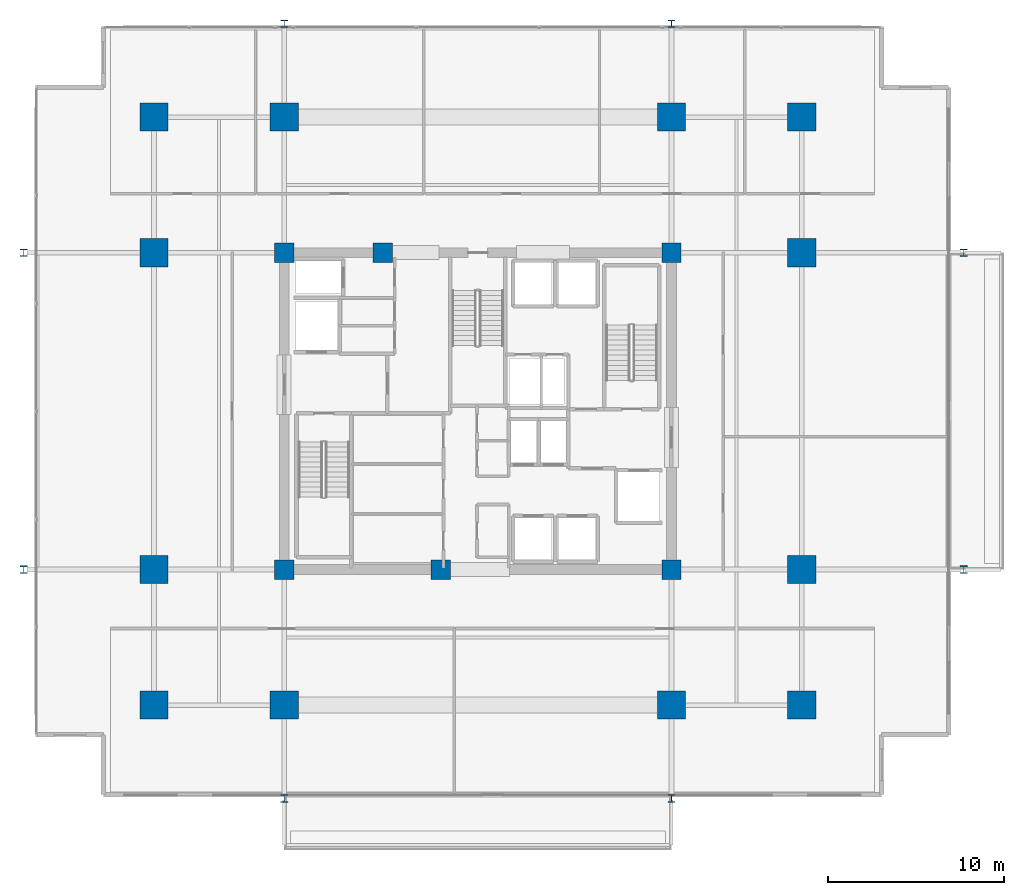
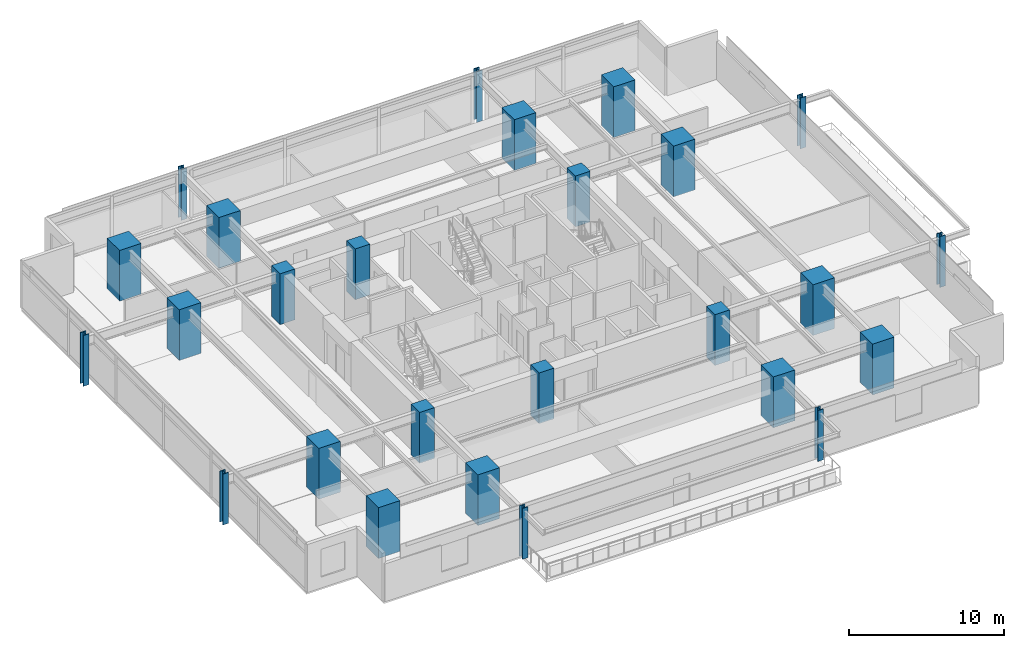
# One storey, part 1 of 21: 26 columns.
"""IFC4 building model written with IfcOpenShell, lengths in metres."""

from ifc_helpers import new_model, si_unit, direction, frame, origin, origin_2d, place, context, subcontext, project, spatial, rectangle, i_section, extrude, material, material_profile, profile_set, type_object, element, save


model = new_model("IFC4")

# Units and contexts
model_context = context("Model", 3, precision=1e-05, world=origin(), true_north=direction((0.0, 1.0)))
body_context = subcontext(model_context, "Body", "Model", "MODEL_VIEW")
ifc_project = project(units=[si_unit("LENGTHUNIT", "METRE"), si_unit("AREAUNIT", "SQUARE_METRE"), si_unit("VOLUMEUNIT", "CUBIC_METRE"), si_unit("PLANEANGLEUNIT", "RADIAN"), si_unit("MASSUNIT", "GRAM", prefix="KILO")], contexts=[model_context])

# Site, building, storey
site_placement = place(None, origin())
site = spatial("IfcSite", under=ifc_project, at=site_placement, CompositionType="ELEMENT")
building_placement = place(site_placement, origin())
building = spatial("IfcBuilding", under=site, at=building_placement, Name="Kovane Verandah Tower", CompositionType="ELEMENT")
storey_placement = place(building_placement, frame((0.0, 0.0, 172.39990234375)))
storey = spatial("IfcBuildingStorey", under=building, at=storey_placement, Name="L40", CompositionType="ELEMENT", Elevation=172.39990234375)

# Columns
ifc_material_1 = material(Name="Concrete C80/95", Category="concrete")
ifc_material_profile_1 = material_profile(ifc_material_1, rectangle(XDim=1.60009765625, YDim=1.60009765625, at=origin_2d()), Name="RC1600x1600")
ifc_profile_set_1 = profile_set([ifc_material_profile_1], Name="Concrete C80/95")
column_type_1 = type_object("IfcColumnType", Name="COL-RC1600", PredefinedType="COLUMN", material=ifc_profile_set_1)
for number, where, z_axis, x_axis, name in (
    (1, (29.0, 10.800048828125, 0.0), (0.0, 0.0, 1.0), (1.0, 0.0, 0.0), "L40 Tower Mega-Column MC-S1"),
    (2, (51.0, 10.800048828125, 0.0), (0.0, 0.0, 1.0), (1.0, 0.0, 0.0), "L40 Tower Mega-Column MC-S2"),
    (3, (29.0, 44.199951171875, 0.0), (0.0, 0.0, 1.0), (1.0, 0.0, 0.0), "L40 Tower Mega-Column MC-N1"),
    (4, (51.0, 44.199951171875, 0.0), (0.0, 0.0, 1.0), (1.0, 0.0, 0.0), "L40 Tower Mega-Column MC-N2"),
    (5, (21.60009765625, 18.5, 0.0), (0.0, 0.0, 1.0), (1.0, 0.0, 0.0), "L40 Tower Mega-Column MC-W1"),
    (6, (21.60009765625, 36.5, 0.0), (0.0, 0.0, 1.0), (1.0, 0.0, 0.0), "L40 Tower Mega-Column MC-W2"),
    (7, (58.39990234375, 18.5, 0.0), (0.0, 0.0, 1.0), (1.0, 0.0, 0.0), "L40 Tower Mega-Column MC-E1"),
    (8, (58.39990234375, 36.5, 0.0), (0.0, 0.0, 1.0), (1.0, 0.0, 0.0), "L40 Tower Mega-Column MC-E2"),
    (9, (21.60009765625, 10.800048828125, 0.0), (0.0, 0.0, 1.0), (1.0, 0.0, 0.0), "L40 Tower Mega-Column MC-SW"),
    (10, (58.39990234375, 10.800048828125, 0.0), (0.0, 0.0, 1.0), (1.0, 0.0, 0.0), "L40 Tower Mega-Column MC-SE"),
    (11, (21.60009765625, 44.199951171875, 0.0), (0.0, 0.0, 1.0), (1.0, 0.0, 0.0), "L40 Tower Mega-Column MC-NW"),
    (12, (58.39990234375, 44.199951171875, 0.0), (0.0, 0.0, 1.0), (1.0, 0.0, 0.0), "L40 Tower Mega-Column MC-NE"),
):
    element("IfcColumn", number, at=place(storey_placement, frame(where, z_axis=z_axis, x_axis=x_axis)), inside=storey, type_object=column_type_1, Name=name, PredefinedType="COLUMN", context=body_context, shape_type="SweptSolid", body=[
        extrude(rectangle(XDim=1.60009765625, YDim=1.60009765625, at=origin_2d()), origin(), (0.0, 0.0, 1.0), 4.0),
    ])
ifc_material_2 = material(Name="Steel S460", Category="steel")
ifc_material_profile_2 = material_profile(ifc_material_2, i_section(OverallWidth=0.412109375, OverallDepth=0.4365234375, WebThickness=0.035888671875, FlangeThickness=0.05810546875, FilletRadius=0.01513671875, at=origin_2d()), Name="UC356x406x467")
ifc_profile_set_2 = profile_set([ifc_material_profile_2], Name="Steel S460")
column_type_2 = type_object("IfcColumnType", Name="COL-UC467", PredefinedType="COLUMN", material=ifc_profile_set_2)
for number, where, z_axis, x_axis, name in (
    (13, (14.199951171875, 18.5, 0.0), (0.0, 0.0, 1.0), (1.0, 0.0, 0.0), "L40 Verandah Perimeter Column VC-W1"),
    (14, (14.199951171875, 36.5, 0.0), (0.0, 0.0, 1.0), (1.0, 0.0, 0.0), "L40 Verandah Perimeter Column VC-W2"),
    (15, (67.60009765625, 18.5, 0.0), (0.0, 0.0, 1.0), (1.0, 0.0, 0.0), "L40 Verandah Perimeter Column VC-E1"),
    (16, (67.60009765625, 36.5, 0.0), (0.0, 0.0, 1.0), (1.0, 0.0, 0.0), "L40 Verandah Perimeter Column VC-E2"),
    (17, (29.0, 5.5, 0.0), (0.0, 0.0, 1.0), (1.0, 0.0, 0.0), "L40 Verandah Perimeter Column VC-S1"),
    (18, (51.0, 5.5, 0.0), (0.0, 0.0, 1.0), (1.0, 0.0, 0.0), "L40 Verandah Perimeter Column VC-S2"),
    (19, (29.0, 49.5, 0.0), (0.0, 0.0, 1.0), (1.0, 0.0, 0.0), "L40 Verandah Perimeter Column VC-N1"),
    (20, (51.0, 49.5, 0.0), (0.0, 0.0, 1.0), (1.0, 0.0, 0.0), "L40 Verandah Perimeter Column VC-N2"),
):
    element("IfcColumn", number, at=place(storey_placement, frame(where, z_axis=z_axis, x_axis=x_axis)), inside=storey, type_object=column_type_2, Name=name, PredefinedType="COLUMN", context=body_context, shape_type="SweptSolid", body=[
        extrude(i_section(OverallWidth=0.412109375, OverallDepth=0.4365234375, WebThickness=0.035888671875, FlangeThickness=0.05810546875, FilletRadius=0.01513671875, at=origin_2d()), origin(), (0.0, 0.0, 1.0), 4.0),
    ])
ifc_material_profile_3 = material_profile(ifc_material_1, rectangle(XDim=1.10009765625, YDim=1.10009765625, at=origin_2d()), Name="RC1100x1100")
ifc_profile_set_3 = profile_set([ifc_material_profile_3], Name="Concrete C80/95")
column_type_3 = type_object("IfcColumnType", Name="PIL-RC1100", PredefinedType="PILASTER", material=ifc_profile_set_3)
for number, where, z_axis, x_axis, name in (
    (21, (29.0, 18.5, 0.0), (0.0, 0.0, 1.0), (1.0, 0.0, 0.0), "L40 Core Pilaster CP-SW"),
    (22, (51.0, 18.5, 0.0), (0.0, 0.0, 1.0), (1.0, 0.0, 0.0), "L40 Core Pilaster CP-SE"),
    (23, (29.0, 36.5, 0.0), (0.0, 0.0, 1.0), (1.0, 0.0, 0.0), "L40 Core Pilaster CP-NW"),
    (24, (51.0, 36.5, 0.0), (0.0, 0.0, 1.0), (1.0, 0.0, 0.0), "L40 Core Pilaster CP-NE"),
    (25, (37.89990234375, 18.5, 0.0), (0.0, 0.0, 1.0), (1.0, 0.0, 0.0), "L40 Core Pilaster CP-S"),
    (26, (34.60009765625, 36.5, 0.0), (0.0, 0.0, 1.0), (1.0, 0.0, 0.0), "L40 Core Pilaster CP-N"),
):
    element("IfcColumn", number, at=place(storey_placement, frame(where, z_axis=z_axis, x_axis=x_axis)), inside=storey, type_object=column_type_3, Name=name, PredefinedType="PILASTER", context=body_context, shape_type="SweptSolid", body=[
        extrude(rectangle(XDim=1.10009765625, YDim=1.10009765625, at=origin_2d()), origin(), (0.0, 0.0, 1.0), 4.0),
    ])

save(model, "model.ifc")
